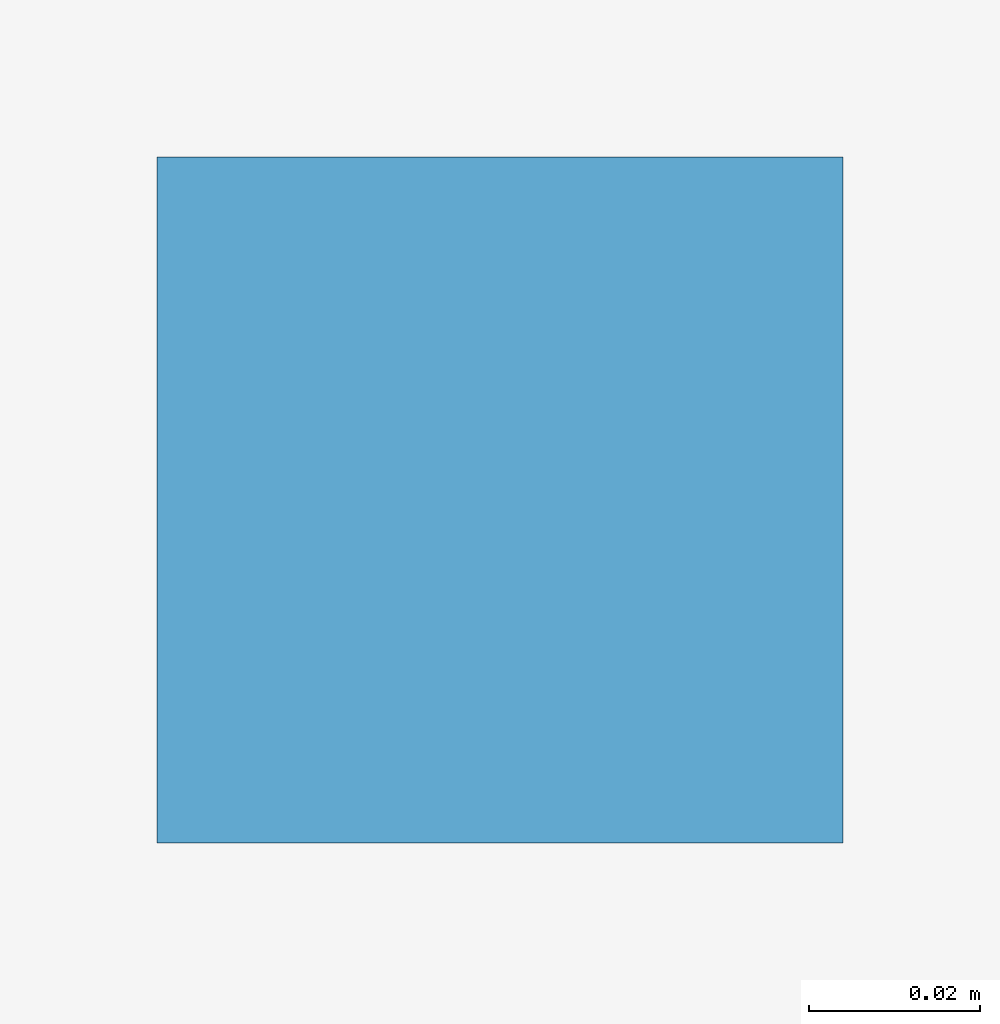
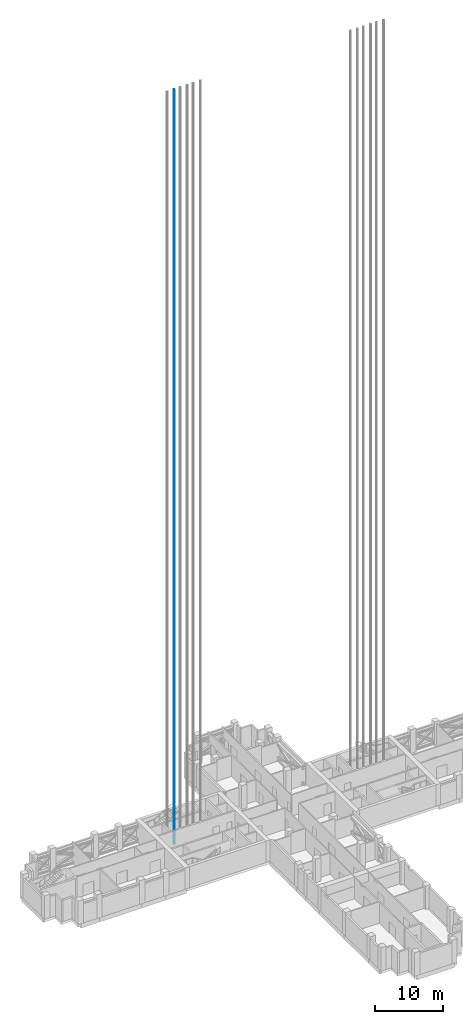
# One storey, part 11 of 22: 1 discrete accessory.
"""IFC4 building model written with IfcOpenShell, lengths in metres."""

from ifc_helpers import new_model, si_unit, direction, frame, origin, origin_2d, place, context, subcontext, project, spatial, rectangle, extrude, material, element, save


model = new_model("IFC4")

# Units and contexts
model_context = context("Model", 3, precision=1e-05, world=origin(), true_north=direction((0.0, 1.0)))
body_context = subcontext(model_context, "Body", "Model", "MODEL_VIEW")
ifc_project = project(units=[si_unit("LENGTHUNIT", "METRE"), si_unit("AREAUNIT", "SQUARE_METRE"), si_unit("VOLUMEUNIT", "CUBIC_METRE"), si_unit("PLANEANGLEUNIT", "RADIAN"), si_unit("MASSUNIT", "GRAM", prefix="KILO")], contexts=[model_context])

# Site, building, storey
site_placement = place(None, origin())
site = spatial("IfcSite", under=ifc_project, at=site_placement, CompositionType="ELEMENT")
building_placement = place(site_placement, origin())
building = spatial("IfcBuilding", under=site, at=building_placement, Name="Fustian Cross Tower", CompositionType="ELEMENT")
storey_placement = place(building_placement, frame((0.0, 0.0, 111.89990234375)))
storey = spatial("IfcBuildingStorey", under=building, at=storey_placement, Name="L35", CompositionType="ELEMENT", Elevation=111.89990234375)

# Discrete accessory
ifc_material = material(Name="Steel S355", Category="steel")
discrete_accessory_placement = place(storey_placement, frame((-17.074951171875, 3.7099609375, 0.0), z_axis=(0.0, 0.0, 1.0), x_axis=(1.0, 0.0, 0.0)))
element("IfcDiscreteAccessory", 1, at=discrete_accessory_placement, inside=storey, material=ifc_material, Name="Lift guide rail HR3W 2", PredefinedType="NOTDEFINED", context=body_context, shape_type="SweptSolid", body=[
    extrude(rectangle(XDim=0.080078125, YDim=0.080078125, at=origin_2d()), origin(), (0.0, 0.0, 1.0), 134.60009765625),
])

save(model, "model.ifc")
